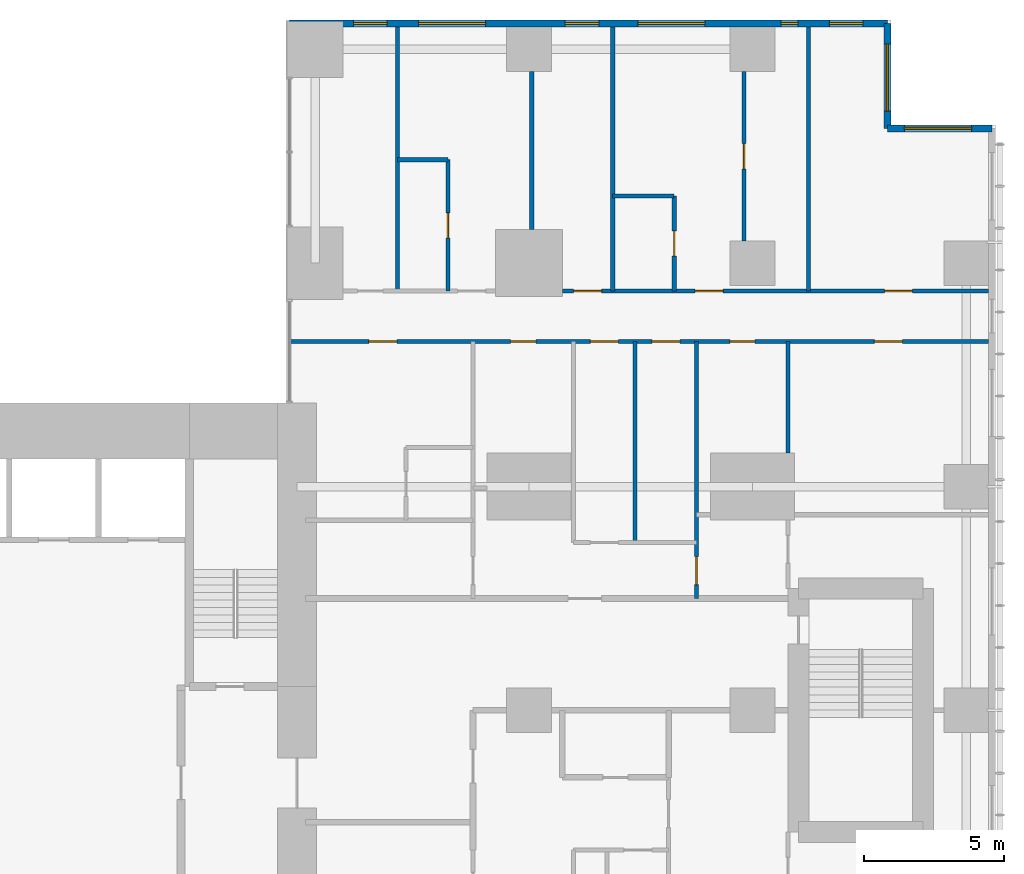
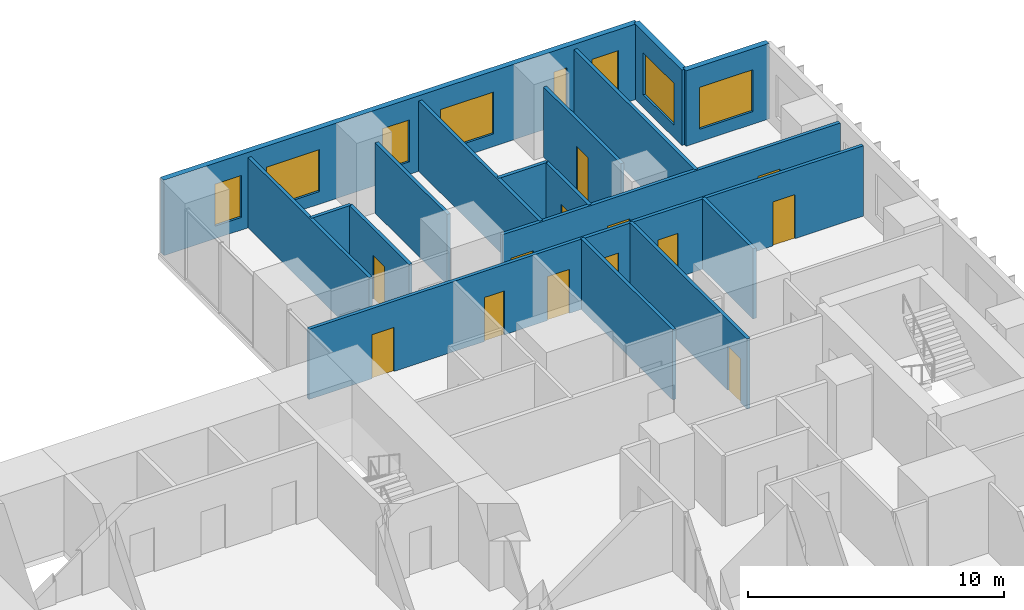
# One storey, part 10 of 12: 17 walls, 13 doors, 8 windows, 21 openings.
"""IFC4 building model written with IfcOpenShell, lengths in metres."""

from ifc_helpers import new_model, si_unit, direction, frame, frame_2d, origin, place, context, subcontext, project, spatial, rectangle, extrude, material, layer, layer_set, type_object, element, fill, save


model = new_model("IFC4")

# Units and contexts
model_context = context("Model", 3, precision=1e-05, world=origin(), true_north=direction((0.0, 1.0)))
body_context = subcontext(model_context, "Body", "Model", "MODEL_VIEW")
ifc_project = project(units=[si_unit("LENGTHUNIT", "METRE"), si_unit("AREAUNIT", "SQUARE_METRE"), si_unit("VOLUMEUNIT", "CUBIC_METRE"), si_unit("PLANEANGLEUNIT", "RADIAN"), si_unit("MASSUNIT", "GRAM", prefix="KILO")], contexts=[model_context])

# Site, building, storey
site_placement = place(None, origin())
site = spatial("IfcSite", under=ifc_project, at=site_placement, CompositionType="ELEMENT")
building_placement = place(site_placement, origin())
building = spatial("IfcBuilding", under=site, at=building_placement, Name="Cleftline Residences", CompositionType="ELEMENT")
storey_placement = place(building_placement, frame((0.0, 0.0, 248.39990234375)))
storey = spatial("IfcBuildingStorey", under=building, at=storey_placement, Name="L65", CompositionType="ELEMENT", Elevation=248.39990234375)

# Wall, opening, window
ifc_material_1 = material(Name="Rendered reinforced concrete blockwork", Category="masonry")
ifc_layer_1 = layer(ifc_material_1, 0.25)
ifc_layer_set_1 = layer_set([ifc_layer_1], Name="EXTERNAL WALL 250")
wall_type_1 = type_object("IfcWallType", Name="EXTERNAL WALL 250", PredefinedType="SOLIDWALL", material=ifc_layer_set_1)
wall_1_placement = place(storey_placement, frame((66.574951171875, 44.824951171875, 0.0), z_axis=(0.0, 0.0, 1.0), x_axis=(-1.0, 0.0, 0.0)))
wall_1 = element("IfcWall", 1, at=wall_1_placement, inside=storey, type_object=wall_type_1, Name="External wall", PredefinedType="SOLIDWALL", context=body_context, shape_type="SweptSolid", body=[
    extrude(rectangle(XDim=3.75, YDim=0.25, at=frame_2d((1.875, 0.0))), origin(), (0.0, 0.0, 1.0), 3.60009765625),
])
opening_1_placement = place(wall_1_placement, frame((0.737548828125, 0.0, 0.60009765625)))
opening_1 = element("IfcOpeningElement", 2, at=opening_1_placement, cuts=wall_1, Name="Opening W6", PredefinedType="OPENING", context=body_context, shape_type="SweptSolid", body=[
    extrude(rectangle(XDim=2.39990234375, YDim=2.0, at=frame_2d((1.199951171875, 1.0))), frame((0.0, 0.135009765625, 0.0), z_axis=(0.0, -1.0, 0.0), x_axis=(1.0, 0.0, 0.0)), (0.0, 0.0, 1.0), 0.27001953125),
])
ifc_material_2 = material(Name="Aluminium frame, clear double glazing", Category="aluminium")
window_type_1 = type_object("IfcWindowType", Name="WINDOW 2400X2000", PartitioningType="DOUBLE_PANEL_VERTICAL", PredefinedType="WINDOW", material=ifc_material_2)
window_1_placement = place(opening_1_placement, origin())
window_1 = element("IfcWindow", 3, at=window_1_placement, inside=storey, type_object=window_type_1, Name="Window", OverallHeight=2.0, OverallWidth=2.39990234375, PartitioningType="SINGLE_PANEL", PredefinedType="WINDOW", context=body_context, shape_type="SweptSolid", body=[
    extrude(rectangle(XDim=2.39990234375, YDim=2.0, at=frame_2d((1.199951171875, 1.0))), frame((0.0, 0.030029296875, 0.0), z_axis=(0.0, -1.0, 0.0), x_axis=(1.0, 0.0, 0.0)), (0.0, 0.0, 1.0), 0.06005859375),
])
fill(opening_1, window_1)

wall_2_placement = place(storey_placement, frame((62.824951171875, 44.824951171875, 0.0), z_axis=(0.0, 0.0, 1.0), x_axis=(0.0, 1.0, 0.0)))
wall_2 = element("IfcWall", 4, at=wall_2_placement, inside=storey, type_object=wall_type_1, Name="External wall", PredefinedType="SOLIDWALL", context=body_context, shape_type="SweptSolid", body=[
    extrude(rectangle(XDim=3.75, YDim=0.25, at=frame_2d((1.875, 0.0))), origin(), (0.0, 0.0, 1.0), 3.60009765625),
])
opening_2_placement = place(wall_2_placement, frame((0.612548828125, 0.0, 0.60009765625)))
opening_2 = element("IfcOpeningElement", 5, at=opening_2_placement, cuts=wall_2, Name="Opening W6", PredefinedType="OPENING", context=body_context, shape_type="SweptSolid", body=[
    extrude(rectangle(XDim=2.39990234375, YDim=2.0, at=frame_2d((1.199951171875, 1.0))), frame((0.0, 0.135009765625, 0.0), z_axis=(0.0, -1.0, 0.0), x_axis=(1.0, 0.0, 0.0)), (0.0, 0.0, 1.0), 0.27001953125),
])
window_2_placement = place(opening_2_placement, origin())
window_2 = element("IfcWindow", 6, at=window_2_placement, inside=storey, type_object=window_type_1, Name="Window", OverallHeight=2.0, OverallWidth=2.39990234375, PartitioningType="SINGLE_PANEL", PredefinedType="WINDOW", context=body_context, shape_type="SweptSolid", body=[
    extrude(rectangle(XDim=2.39990234375, YDim=2.0, at=frame_2d((1.199951171875, 1.0))), frame((0.0, 0.030029296875, 0.0), z_axis=(0.0, -1.0, 0.0), x_axis=(1.0, 0.0, 0.0)), (0.0, 0.0, 1.0), 0.06005859375),
])
fill(opening_2, window_2)

# Wall, openings, windows
wall_3_placement = place(storey_placement, frame((62.824951171875, 48.574951171875, 0.0), z_axis=(0.0, 0.0, 1.0), x_axis=(-1.0, 0.0, 0.0)))
wall_3 = element("IfcWall", 7, at=wall_3_placement, inside=storey, type_object=wall_type_1, Name="External wall", PredefinedType="SOLIDWALL", context=body_context, shape_type="SweptSolid", body=[
    extrude(rectangle(XDim=21.39990234375, YDim=0.25, at=frame_2d((10.699951171875, 0.0))), origin(), (0.0, 0.0, 1.0), 3.60009765625),
])
opening_3_placement = place(wall_3_placement, frame((0.875, 0.0, 0.60009765625)))
opening_3 = element("IfcOpeningElement", 8, at=opening_3_placement, cuts=wall_3, Name="Opening W8", PredefinedType="OPENING", context=body_context, shape_type="SweptSolid", body=[
    extrude(rectangle(XDim=1.199951171875, YDim=2.0, at=frame_2d((0.60009765625, 1.0))), frame((0.0, 0.135009765625, 0.0), z_axis=(0.0, -1.0, 0.0), x_axis=(1.0, 0.0, 0.0)), (0.0, 0.0, 1.0), 0.27001953125),
])
opening_4_placement = place(wall_3_placement, frame((3.199951171875, 0.0, 0.60009765625)))
opening_4 = element("IfcOpeningElement", 9, at=opening_4_placement, cuts=wall_3, Name="Opening W7", PredefinedType="OPENING", context=body_context, shape_type="SweptSolid", body=[
    extrude(rectangle(XDim=0.60009765625, YDim=2.0, at=frame_2d((0.300048828125, 1.0))), frame((0.0, 0.135009765625, 0.0), z_axis=(0.0, -1.0, 0.0), x_axis=(1.0, 0.0, 0.0)), (0.0, 0.0, 1.0), 0.27001953125),
])
opening_5_placement = place(wall_3_placement, frame((6.52490234375, 0.0, 0.60009765625)))
opening_5 = element("IfcOpeningElement", 10, at=opening_5_placement, cuts=wall_3, Name="Opening W6", PredefinedType="OPENING", context=body_context, shape_type="SweptSolid", body=[
    extrude(rectangle(XDim=2.39990234375, YDim=2.0, at=frame_2d((1.199951171875, 1.0))), frame((0.0, 0.135009765625, 0.0), z_axis=(0.0, -1.0, 0.0), x_axis=(1.0, 0.0, 0.0)), (0.0, 0.0, 1.0), 0.27001953125),
])
opening_6_placement = place(wall_3_placement, frame((10.324951171875, 0.0, 0.60009765625)))
opening_6 = element("IfcOpeningElement", 11, at=opening_6_placement, cuts=wall_3, Name="Opening W8", PredefinedType="OPENING", context=body_context, shape_type="SweptSolid", body=[
    extrude(rectangle(XDim=1.199951171875, YDim=2.0, at=frame_2d((0.60009765625, 1.0))), frame((0.0, 0.135009765625, 0.0), z_axis=(0.0, -1.0, 0.0), x_axis=(1.0, 0.0, 0.0)), (0.0, 0.0, 1.0), 0.27001953125),
])
opening_7_placement = place(wall_3_placement, frame((14.375, 0.0, 0.60009765625)))
opening_7 = element("IfcOpeningElement", 12, at=opening_7_placement, cuts=wall_3, Name="Opening W6", PredefinedType="OPENING", context=body_context, shape_type="SweptSolid", body=[
    extrude(rectangle(XDim=2.39990234375, YDim=2.0, at=frame_2d((1.199951171875, 1.0))), frame((0.0, 0.135009765625, 0.0), z_axis=(0.0, -1.0, 0.0), x_axis=(1.0, 0.0, 0.0)), (0.0, 0.0, 1.0), 0.27001953125),
])
opening_8_placement = place(wall_3_placement, frame((17.89990234375, 0.0, 0.60009765625)))
opening_8 = element("IfcOpeningElement", 13, at=opening_8_placement, cuts=wall_3, Name="Opening W8", PredefinedType="OPENING", context=body_context, shape_type="SweptSolid", body=[
    extrude(rectangle(XDim=1.199951171875, YDim=2.0, at=frame_2d((0.60009765625, 1.0))), frame((0.0, 0.135009765625, 0.0), z_axis=(0.0, -1.0, 0.0), x_axis=(1.0, 0.0, 0.0)), (0.0, 0.0, 1.0), 0.27001953125),
])
ifc_material_3 = material(Name="Aluminium frame, clear double glazing", Category="aluminium")
window_type_2 = type_object("IfcWindowType", Name="WINDOW 1200X2000", PartitioningType="DOUBLE_PANEL_VERTICAL", PredefinedType="WINDOW", material=ifc_material_3)
window_3_placement = place(opening_3_placement, origin())
window_3 = element("IfcWindow", 14, at=window_3_placement, inside=storey, type_object=window_type_2, Name="Window", OverallHeight=2.0, OverallWidth=1.199951171875, PartitioningType="SINGLE_PANEL", PredefinedType="WINDOW", context=body_context, shape_type="SweptSolid", body=[
    extrude(rectangle(XDim=1.199951171875, YDim=2.0, at=frame_2d((0.60009765625, 1.0))), frame((0.0, 0.030029296875, 0.0), z_axis=(0.0, -1.0, 0.0), x_axis=(1.0, 0.0, 0.0)), (0.0, 0.0, 1.0), 0.06005859375),
])
fill(opening_3, window_3)
window_4_placement = place(opening_6_placement, origin())
window_4 = element("IfcWindow", 15, at=window_4_placement, inside=storey, type_object=window_type_2, Name="Window", OverallHeight=2.0, OverallWidth=1.199951171875, PartitioningType="SINGLE_PANEL", PredefinedType="WINDOW", context=body_context, shape_type="SweptSolid", body=[
    extrude(rectangle(XDim=1.199951171875, YDim=2.0, at=frame_2d((0.60009765625, 1.0))), frame((0.0, 0.030029296875, 0.0), z_axis=(0.0, -1.0, 0.0), x_axis=(1.0, 0.0, 0.0)), (0.0, 0.0, 1.0), 0.06005859375),
])
fill(opening_6, window_4)
window_5_placement = place(opening_8_placement, origin())
window_5 = element("IfcWindow", 16, at=window_5_placement, inside=storey, type_object=window_type_2, Name="Window", OverallHeight=2.0, OverallWidth=1.199951171875, PartitioningType="SINGLE_PANEL", PredefinedType="WINDOW", context=body_context, shape_type="SweptSolid", body=[
    extrude(rectangle(XDim=1.199951171875, YDim=2.0, at=frame_2d((0.60009765625, 1.0))), frame((0.0, 0.030029296875, 0.0), z_axis=(0.0, -1.0, 0.0), x_axis=(1.0, 0.0, 0.0)), (0.0, 0.0, 1.0), 0.06005859375),
])
fill(opening_8, window_5)
window_6_placement = place(opening_5_placement, origin())
window_6 = element("IfcWindow", 17, at=window_6_placement, inside=storey, type_object=window_type_1, Name="Window", OverallHeight=2.0, OverallWidth=2.39990234375, PartitioningType="SINGLE_PANEL", PredefinedType="WINDOW", context=body_context, shape_type="SweptSolid", body=[
    extrude(rectangle(XDim=2.39990234375, YDim=2.0, at=frame_2d((1.199951171875, 1.0))), frame((0.0, 0.030029296875, 0.0), z_axis=(0.0, -1.0, 0.0), x_axis=(1.0, 0.0, 0.0)), (0.0, 0.0, 1.0), 0.06005859375),
])
fill(opening_5, window_6)
window_7_placement = place(opening_7_placement, origin())
window_7 = element("IfcWindow", 18, at=window_7_placement, inside=storey, type_object=window_type_1, Name="Window", OverallHeight=2.0, OverallWidth=2.39990234375, PartitioningType="SINGLE_PANEL", PredefinedType="WINDOW", context=body_context, shape_type="SweptSolid", body=[
    extrude(rectangle(XDim=2.39990234375, YDim=2.0, at=frame_2d((1.199951171875, 1.0))), frame((0.0, 0.030029296875, 0.0), z_axis=(0.0, -1.0, 0.0), x_axis=(1.0, 0.0, 0.0)), (0.0, 0.0, 1.0), 0.06005859375),
])
fill(opening_7, window_7)
ifc_material_4 = material(Name="Aluminium frame, clear double glazing", Category="aluminium")
window_type_3 = type_object("IfcWindowType", Name="WINDOW 600X2000", PartitioningType="DOUBLE_PANEL_VERTICAL", PredefinedType="WINDOW", material=ifc_material_4)
window_8_placement = place(opening_4_placement, origin())
window_8 = element("IfcWindow", 19, at=window_8_placement, inside=storey, type_object=window_type_3, Name="Window", OverallHeight=2.0, OverallWidth=0.60009765625, PartitioningType="SINGLE_PANEL", PredefinedType="WINDOW", context=body_context, shape_type="SweptSolid", body=[
    extrude(rectangle(XDim=0.60009765625, YDim=2.0, at=frame_2d((0.300048828125, 1.0))), frame((0.0, 0.030029296875, 0.0), z_axis=(0.0, -1.0, 0.0), x_axis=(1.0, 0.0, 0.0)), (0.0, 0.0, 1.0), 0.06005859375),
])
fill(opening_4, window_8)

# Wall, openings, doors
ifc_material_5 = material(Name="Gypsum board on steel studs", Category="steel")
ifc_layer_2 = layer(ifc_material_5, 0.14990234375)
ifc_layer_set_2 = layer_set([ifc_layer_2], Name="PARTITION 150")
wall_type_2 = type_object("IfcWallType", Name="PARTITION 150", PredefinedType="PARTITIONING", material=ifc_layer_set_2)
wall_4_placement = place(storey_placement, frame((41.43896484375, 37.199951171875, 0.0), z_axis=(0.0, 0.0, 1.0), x_axis=(1.0, 0.0, 0.0)))
wall_4 = element("IfcWall", 20, at=wall_4_placement, inside=storey, type_object=wall_type_2, Name="Partition", PredefinedType="PARTITIONING", context=body_context, shape_type="SweptSolid", body=[
    extrude(rectangle(XDim=25.010986328125, YDim=0.14990234375, at=frame_2d((12.50537109375, 0.0))), origin(), (0.0, 0.0, 1.0), 3.35009765625),
])
opening_9_placement = place(wall_4_placement, frame((10.760986328125, 0.0, 0.0)))
opening_9 = element("IfcOpeningElement", 21, at=opening_9_placement, cuts=wall_4, Name="Opening D2", PredefinedType="OPENING", context=body_context, shape_type="SweptSolid", body=[
    extrude(rectangle(XDim=1.0, YDim=2.10009765625, at=frame_2d((0.5, 1.050048828125))), frame((0.0, 0.0849609375, 0.0), z_axis=(0.0, -1.0, 0.0), x_axis=(1.0, 0.0, 0.0)), (0.0, 0.0, 1.0), 0.169921875),
])
opening_10_placement = place(wall_4_placement, frame((20.923583984375, 0.0, 0.0)))
opening_10 = element("IfcOpeningElement", 22, at=opening_10_placement, cuts=wall_4, Name="Opening D2", PredefinedType="OPENING", context=body_context, shape_type="SweptSolid", body=[
    extrude(rectangle(XDim=1.0, YDim=2.10009765625, at=frame_2d((0.5, 1.050048828125))), frame((0.0, 0.0849609375, 0.0), z_axis=(0.0, -1.0, 0.0), x_axis=(1.0, 0.0, 0.0)), (0.0, 0.0, 1.0), 0.169921875),
])
opening_11_placement = place(wall_4_placement, frame((15.74853515625, 0.0, 0.0)))
opening_11 = element("IfcOpeningElement", 23, at=opening_11_placement, cuts=wall_4, Name="Opening D1", PredefinedType="OPENING", context=body_context, shape_type="SweptSolid", body=[
    extrude(rectangle(XDim=0.89990234375, YDim=2.10009765625, at=frame_2d((0.449951171875, 1.050048828125))), frame((0.0, 0.0849609375, 0.0), z_axis=(0.0, -1.0, 0.0), x_axis=(1.0, 0.0, 0.0)), (0.0, 0.0, 1.0), 0.169921875),
])
opening_12_placement = place(wall_4_placement, frame((12.9609375, 0.0, 0.0)))
opening_12 = element("IfcOpeningElement", 24, at=opening_12_placement, cuts=wall_4, Name="Opening D2", PredefinedType="OPENING", context=body_context, shape_type="SweptSolid", body=[
    extrude(rectangle(XDim=1.0, YDim=2.10009765625, at=frame_2d((0.5, 1.050048828125))), frame((0.0, 0.0849609375, 0.0), z_axis=(0.0, -1.0, 0.0), x_axis=(1.0, 0.0, 0.0)), (0.0, 0.0, 1.0), 0.169921875),
])
opening_13_placement = place(wall_4_placement, frame((7.910888671875, 0.0, 0.0)))
opening_13 = element("IfcOpeningElement", 25, at=opening_13_placement, cuts=wall_4, Name="Opening D1", PredefinedType="OPENING", context=body_context, shape_type="SweptSolid", body=[
    extrude(rectangle(XDim=0.89990234375, YDim=2.10009765625, at=frame_2d((0.449951171875, 1.050048828125))), frame((0.0, 0.0849609375, 0.0), z_axis=(0.0, -1.0, 0.0), x_axis=(1.0, 0.0, 0.0)), (0.0, 0.0, 1.0), 0.169921875),
])
opening_14_placement = place(wall_4_placement, frame((2.8359375, 0.0, 0.0)))
opening_14 = element("IfcOpeningElement", 26, at=opening_14_placement, cuts=wall_4, Name="Opening D2", PredefinedType="OPENING", context=body_context, shape_type="SweptSolid", body=[
    extrude(rectangle(XDim=1.0, YDim=2.10009765625, at=frame_2d((0.5, 1.050048828125))), frame((0.0, 0.0849609375, 0.0), z_axis=(0.0, -1.0, 0.0), x_axis=(1.0, 0.0, 0.0)), (0.0, 0.0, 1.0), 0.169921875),
])
ifc_material_6 = material(Name="Timber veneer on solid core", Category="wood")
door_type_1 = type_object("IfcDoorType", Name="DOOR 1000X2100", OperationType="SINGLE_SWING_LEFT", PredefinedType="DOOR", material=ifc_material_6)
door_1_placement = place(opening_9_placement, origin())
door_1 = element("IfcDoor", 27, at=door_1_placement, inside=storey, type_object=door_type_1, Name="Door to residence hall", OperationType="SINGLE_SWING_RIGHT", OverallHeight=2.10009765625, OverallWidth=1.0, PredefinedType="DOOR", context=body_context, shape_type="SweptSolid", body=[
    extrude(rectangle(XDim=1.0, YDim=2.10009765625, at=frame_2d((0.5, 1.050048828125))), frame((0.0, 0.02490234375, 0.0), z_axis=(0.0, -1.0, 0.0), x_axis=(1.0, 0.0, 0.0)), (0.0, 0.0, 1.0), 0.050048828125),
])
fill(opening_9, door_1)
door_2_placement = place(opening_10_placement, origin())
door_2 = element("IfcDoor", 28, at=door_2_placement, inside=storey, type_object=door_type_1, Name="Door to master bedroom", OperationType="SINGLE_SWING_LEFT", OverallHeight=2.10009765625, OverallWidth=1.0, PredefinedType="DOOR", context=body_context, shape_type="SweptSolid", body=[
    extrude(rectangle(XDim=1.0, YDim=2.10009765625, at=frame_2d((0.5, 1.050048828125))), frame((0.0, 0.02490234375, 0.0), z_axis=(0.0, -1.0, 0.0), x_axis=(1.0, 0.0, 0.0)), (0.0, 0.0, 1.0), 0.050048828125),
])
fill(opening_10, door_2)
door_3_placement = place(opening_12_placement, origin())
door_3 = element("IfcDoor", 29, at=door_3_placement, inside=storey, type_object=door_type_1, Name="Door to family room", OperationType="SINGLE_SWING_LEFT", OverallHeight=2.10009765625, OverallWidth=1.0, PredefinedType="DOOR", context=body_context, shape_type="SweptSolid", body=[
    extrude(rectangle(XDim=1.0, YDim=2.10009765625, at=frame_2d((0.5, 1.050048828125))), frame((0.0, 0.02490234375, 0.0), z_axis=(0.0, -1.0, 0.0), x_axis=(1.0, 0.0, 0.0)), (0.0, 0.0, 1.0), 0.050048828125),
])
fill(opening_12, door_3)
door_4_placement = place(opening_14_placement, origin())
door_4 = element("IfcDoor", 30, at=door_4_placement, inside=storey, type_object=door_type_1, Name="Door to bedroom 4", OperationType="SINGLE_SWING_RIGHT", OverallHeight=2.10009765625, OverallWidth=1.0, PredefinedType="DOOR", context=body_context, shape_type="SweptSolid", body=[
    extrude(rectangle(XDim=1.0, YDim=2.10009765625, at=frame_2d((0.5, 1.050048828125))), frame((0.0, 0.02490234375, 0.0), z_axis=(0.0, -1.0, 0.0), x_axis=(1.0, 0.0, 0.0)), (0.0, 0.0, 1.0), 0.050048828125),
])
fill(opening_14, door_4)
ifc_material_7 = material(Name="Timber veneer on solid core", Category="wood")
door_type_2 = type_object("IfcDoorType", Name="DOOR 900X2100", OperationType="SINGLE_SWING_LEFT", PredefinedType="DOOR", material=ifc_material_7)
door_5_placement = place(opening_11_placement, origin())
door_5 = element("IfcDoor", 31, at=door_5_placement, inside=storey, type_object=door_type_2, Name="Door to master bathroom", OperationType="SINGLE_SWING_LEFT", OverallHeight=2.10009765625, OverallWidth=0.89990234375, PredefinedType="DOOR", context=body_context, shape_type="SweptSolid", body=[
    extrude(rectangle(XDim=0.89990234375, YDim=2.10009765625, at=frame_2d((0.449951171875, 1.050048828125))), frame((0.0, 0.02490234375, 0.0), z_axis=(0.0, -1.0, 0.0), x_axis=(1.0, 0.0, 0.0)), (0.0, 0.0, 1.0), 0.050048828125),
])
fill(opening_11, door_5)
door_6_placement = place(opening_13_placement, origin())
door_6 = element("IfcDoor", 32, at=door_6_placement, inside=storey, type_object=door_type_2, Name="Door to master dressing room", OperationType="SINGLE_SWING_RIGHT", OverallHeight=2.10009765625, OverallWidth=0.89990234375, PredefinedType="DOOR", context=body_context, shape_type="SweptSolid", body=[
    extrude(rectangle(XDim=0.89990234375, YDim=2.10009765625, at=frame_2d((0.449951171875, 1.050048828125))), frame((0.0, 0.02490234375, 0.0), z_axis=(0.0, -1.0, 0.0), x_axis=(1.0, 0.0, 0.0)), (0.0, 0.0, 1.0), 0.050048828125),
])
fill(opening_13, door_6)

wall_5_placement = place(storey_placement, frame((51.199951171875, 39.0, 0.0), z_axis=(0.0, 0.0, 1.0), x_axis=(1.0, 0.0, 0.0)))
wall_5 = element("IfcWall", 33, at=wall_5_placement, inside=storey, type_object=wall_type_2, Name="Partition", PredefinedType="PARTITIONING", context=body_context, shape_type="SweptSolid", body=[
    extrude(rectangle(XDim=15.25, YDim=0.14990234375, at=frame_2d((7.625, 0.0))), origin(), (0.0, 0.0, 1.0), 3.35009765625),
])
opening_15_placement = place(wall_5_placement, frame((11.52490234375, 0.0, 0.0)))
opening_15 = element("IfcOpeningElement", 34, at=opening_15_placement, cuts=wall_5, Name="Opening D2", PredefinedType="OPENING", context=body_context, shape_type="SweptSolid", body=[
    extrude(rectangle(XDim=1.0, YDim=2.10009765625, at=frame_2d((0.5, 1.050048828125))), frame((0.0, 0.0849609375, 0.0), z_axis=(0.0, -1.0, 0.0), x_axis=(1.0, 0.0, 0.0)), (0.0, 0.0, 1.0), 0.169921875),
])
opening_16_placement = place(wall_5_placement, frame((4.75, 0.0, 0.0)))
opening_16 = element("IfcOpeningElement", 35, at=opening_16_placement, cuts=wall_5, Name="Opening D2", PredefinedType="OPENING", context=body_context, shape_type="SweptSolid", body=[
    extrude(rectangle(XDim=1.0, YDim=2.10009765625, at=frame_2d((0.5, 1.050048828125))), frame((0.0, 0.0849609375, 0.0), z_axis=(0.0, -1.0, 0.0), x_axis=(1.0, 0.0, 0.0)), (0.0, 0.0, 1.0), 0.169921875),
])
opening_17_placement = place(wall_5_placement, frame((0.39990234375, 0.0, 0.0)))
opening_17 = element("IfcOpeningElement", 36, at=opening_17_placement, cuts=wall_5, Name="Opening D2", PredefinedType="OPENING", context=body_context, shape_type="SweptSolid", body=[
    extrude(rectangle(XDim=1.0, YDim=2.10009765625, at=frame_2d((0.5, 1.050048828125))), frame((0.0, 0.0849609375, 0.0), z_axis=(0.0, -1.0, 0.0), x_axis=(1.0, 0.0, 0.0)), (0.0, 0.0, 1.0), 0.169921875),
])
door_7_placement = place(opening_15_placement, origin())
door_7 = element("IfcDoor", 37, at=door_7_placement, inside=storey, type_object=door_type_1, Name="Door to gym", OperationType="SINGLE_SWING_LEFT", OverallHeight=2.10009765625, OverallWidth=1.0, PredefinedType="DOOR", context=body_context, shape_type="SweptSolid", body=[
    extrude(rectangle(XDim=1.0, YDim=2.10009765625, at=frame_2d((0.5, 1.050048828125))), frame((0.0, 0.02490234375, 0.0), z_axis=(0.0, -1.0, 0.0), x_axis=(1.0, 0.0, 0.0)), (0.0, 0.0, 1.0), 0.050048828125),
])
fill(opening_15, door_7)
door_8_placement = place(opening_16_placement, origin())
door_8 = element("IfcDoor", 38, at=door_8_placement, inside=storey, type_object=door_type_1, Name="Door to bedroom 2", OperationType="SINGLE_SWING_RIGHT", OverallHeight=2.10009765625, OverallWidth=1.0, PredefinedType="DOOR", context=body_context, shape_type="SweptSolid", body=[
    extrude(rectangle(XDim=1.0, YDim=2.10009765625, at=frame_2d((0.5, 1.050048828125))), frame((0.0, 0.02490234375, 0.0), z_axis=(0.0, -1.0, 0.0), x_axis=(1.0, 0.0, 0.0)), (0.0, 0.0, 1.0), 0.050048828125),
])
fill(opening_16, door_8)
door_9_placement = place(opening_17_placement, origin())
door_9 = element("IfcDoor", 39, at=door_9_placement, inside=storey, type_object=door_type_1, Name="Door to bedroom 3 sitting room", OperationType="SINGLE_SWING_RIGHT", OverallHeight=2.10009765625, OverallWidth=1.0, PredefinedType="DOOR", context=body_context, shape_type="SweptSolid", body=[
    extrude(rectangle(XDim=1.0, YDim=2.10009765625, at=frame_2d((0.5, 1.050048828125))), frame((0.0, 0.02490234375, 0.0), z_axis=(0.0, -1.0, 0.0), x_axis=(1.0, 0.0, 0.0)), (0.0, 0.0, 1.0), 0.050048828125),
])
fill(opening_17, door_9)

# Walls
wall_6_placement = place(storey_placement, frame((53.0, 42.39990234375, 0.0), z_axis=(0.0, 0.0, 1.0), x_axis=(1.0, 0.0, 0.0)))
element("IfcWall", 40, at=wall_6_placement, inside=storey, type_object=wall_type_2, Name="Partition", PredefinedType="PARTITIONING", context=body_context, shape_type="SweptSolid", body=[
    extrude(rectangle(XDim=2.199951171875, YDim=0.14990234375, at=frame_2d((1.10009765625, 0.0))), origin(), (0.0, 0.0, 1.0), 3.35009765625),
])
wall_7_placement = place(storey_placement, frame((45.300048828125, 43.699951171875, 0.0), z_axis=(0.0, 0.0, 1.0), x_axis=(1.0, 0.0, 0.0)))
element("IfcWall", 41, at=wall_7_placement, inside=storey, type_object=wall_type_2, Name="Partition", PredefinedType="PARTITIONING", context=body_context, shape_type="SweptSolid", body=[
    extrude(rectangle(XDim=1.800048828125, YDim=0.14990234375, at=frame_2d((0.89990234375, 0.0))), origin(), (0.0, 0.0, 1.0), 3.35009765625),
])
wall_8_placement = place(storey_placement, frame((45.300048828125, 39.0, 0.0), z_axis=(0.0, 0.0, 1.0), x_axis=(0.0, 1.0, 0.0)))
element("IfcWall", 42, at=wall_8_placement, inside=storey, type_object=wall_type_2, Name="Partition", PredefinedType="PARTITIONING", context=body_context, shape_type="SweptSolid", body=[
    extrude(rectangle(XDim=9.449951171875, YDim=0.14990234375, at=frame_2d((4.72509765625, 0.0))), origin(), (0.0, 0.0, 1.0), 3.35009765625),
])

# Wall, opening, door
wall_9_placement = place(storey_placement, frame((47.10009765625, 39.0, 0.0), z_axis=(0.0, 0.0, 1.0), x_axis=(0.0, 1.0, 0.0)))
wall_9 = element("IfcWall", 43, at=wall_9_placement, inside=storey, type_object=wall_type_2, Name="Partition", PredefinedType="PARTITIONING", context=body_context, shape_type="SweptSolid", body=[
    extrude(rectangle(XDim=4.699951171875, YDim=0.14990234375, at=frame_2d((2.35009765625, 0.0))), origin(), (0.0, 0.0, 1.0), 3.35009765625),
])
opening_18_placement = place(wall_9_placement, frame((1.89990234375, 0.0, 0.0)))
opening_18 = element("IfcOpeningElement", 44, at=opening_18_placement, cuts=wall_9, Name="Opening D1", PredefinedType="OPENING", context=body_context, shape_type="SweptSolid", body=[
    extrude(rectangle(XDim=0.89990234375, YDim=2.10009765625, at=frame_2d((0.449951171875, 1.050048828125))), frame((0.0, 0.0849609375, 0.0), z_axis=(0.0, -1.0, 0.0), x_axis=(1.0, 0.0, 0.0)), (0.0, 0.0, 1.0), 0.169921875),
])
door_10_placement = place(opening_18_placement, origin())
door_10 = element("IfcDoor", 45, at=door_10_placement, inside=storey, type_object=door_type_2, Name="Door to en-suite bathroom 3", OperationType="SINGLE_SWING_LEFT", OverallHeight=2.10009765625, OverallWidth=0.89990234375, PredefinedType="DOOR", context=body_context, shape_type="SweptSolid", body=[
    extrude(rectangle(XDim=0.89990234375, YDim=2.10009765625, at=frame_2d((0.449951171875, 1.050048828125))), frame((0.0, 0.02490234375, 0.0), z_axis=(0.0, -1.0, 0.0), x_axis=(1.0, 0.0, 0.0)), (0.0, 0.0, 1.0), 0.050048828125),
])
fill(opening_18, door_10)

# Walls
wall_10_placement = place(storey_placement, frame((50.10009765625, 41.199951171875, 0.0), z_axis=(0.0, 0.0, 1.0), x_axis=(0.0, 1.0, 0.0)))
element("IfcWall", 46, at=wall_10_placement, inside=storey, type_object=wall_type_2, Name="Partition", PredefinedType="PARTITIONING", context=body_context, shape_type="SweptSolid", body=[
    extrude(rectangle(XDim=5.650146484375, YDim=0.14990234375, at=frame_2d((2.8251953125, 0.0))), origin(), (0.0, 0.0, 1.0), 3.35009765625),
])
wall_11_placement = place(storey_placement, frame((53.0, 39.0, 0.0), z_axis=(0.0, 0.0, 1.0), x_axis=(0.0, 1.0, 0.0)))
element("IfcWall", 47, at=wall_11_placement, inside=storey, type_object=wall_type_2, Name="Partition", PredefinedType="PARTITIONING", context=body_context, shape_type="SweptSolid", body=[
    extrude(rectangle(XDim=9.449951171875, YDim=0.14990234375, at=frame_2d((4.72509765625, 0.0))), origin(), (0.0, 0.0, 1.0), 3.35009765625),
])
wall_12_placement = place(storey_placement, frame((53.800048828125, 30.0, 0.0), z_axis=(0.0, 0.0, 1.0), x_axis=(0.0, 1.0, 0.0)))
element("IfcWall", 48, at=wall_12_placement, inside=storey, type_object=wall_type_2, Name="Partition", PredefinedType="PARTITIONING", context=body_context, shape_type="SweptSolid", body=[
    extrude(rectangle(XDim=7.199951171875, YDim=0.14990234375, at=frame_2d((3.60009765625, 0.0))), origin(), (0.0, 0.0, 1.0), 3.35009765625),
])

# Wall, opening, door
wall_13_placement = place(storey_placement, frame((55.199951171875, 39.0, 0.0), z_axis=(0.0, 0.0, 1.0), x_axis=(0.0, 1.0, 0.0)))
wall_13 = element("IfcWall", 49, at=wall_13_placement, inside=storey, type_object=wall_type_2, Name="Partition", PredefinedType="PARTITIONING", context=body_context, shape_type="SweptSolid", body=[
    extrude(rectangle(XDim=3.39990234375, YDim=0.14990234375, at=frame_2d((1.699951171875, 0.0))), origin(), (0.0, 0.0, 1.0), 3.35009765625),
])
opening_19_placement = place(wall_13_placement, frame((1.25, 0.0, 0.0)))
opening_19 = element("IfcOpeningElement", 50, at=opening_19_placement, cuts=wall_13, Name="Opening D1", PredefinedType="OPENING", context=body_context, shape_type="SweptSolid", body=[
    extrude(rectangle(XDim=0.89990234375, YDim=2.10009765625, at=frame_2d((0.449951171875, 1.050048828125))), frame((0.0, 0.0849609375, 0.0), z_axis=(0.0, -1.0, 0.0), x_axis=(1.0, 0.0, 0.0)), (0.0, 0.0, 1.0), 0.169921875),
])
door_11_placement = place(opening_19_placement, origin())
door_11 = element("IfcDoor", 51, at=door_11_placement, inside=storey, type_object=door_type_2, Name="Door to en-suite bathroom 2", OperationType="SINGLE_SWING_LEFT", OverallHeight=2.10009765625, OverallWidth=0.89990234375, PredefinedType="DOOR", context=body_context, shape_type="SweptSolid", body=[
    extrude(rectangle(XDim=0.89990234375, YDim=2.10009765625, at=frame_2d((0.449951171875, 1.050048828125))), frame((0.0, 0.02490234375, 0.0), z_axis=(0.0, -1.0, 0.0), x_axis=(1.0, 0.0, 0.0)), (0.0, 0.0, 1.0), 0.050048828125),
])
fill(opening_19, door_11)

wall_14_placement = place(storey_placement, frame((56.0, 28.0, 0.0), z_axis=(0.0, 0.0, 1.0), x_axis=(0.0, 1.0, 0.0)))
wall_14 = element("IfcWall", 52, at=wall_14_placement, inside=storey, type_object=wall_type_2, Name="Partition", PredefinedType="PARTITIONING", context=body_context, shape_type="SweptSolid", body=[
    extrude(rectangle(XDim=9.199951171875, YDim=0.14990234375, at=frame_2d((4.60009765625, 0.0))), origin(), (0.0, 0.0, 1.0), 3.35009765625),
])
opening_20_placement = place(wall_14_placement, frame((0.5, 0.0, 0.0)))
opening_20 = element("IfcOpeningElement", 53, at=opening_20_placement, cuts=wall_14, Name="Opening D2F30", PredefinedType="OPENING", context=body_context, shape_type="SweptSolid", body=[
    extrude(rectangle(XDim=1.0, YDim=2.10009765625, at=frame_2d((0.5, 1.050048828125))), frame((0.0, 0.0849609375, 0.0), z_axis=(0.0, -1.0, 0.0), x_axis=(1.0, 0.0, 0.0)), (0.0, 0.0, 1.0), 0.169921875),
])
ifc_material_8 = material(Name="Timber veneer on solid core", Category="wood")
door_type_3 = type_object("IfcDoorType", Name="DOOR 1000X2100 EI 30", OperationType="SINGLE_SWING_LEFT", PredefinedType="DOOR", material=ifc_material_8)
door_12_placement = place(opening_20_placement, origin())
door_12 = element("IfcDoor", 54, at=door_12_placement, inside=storey, type_object=door_type_3, Name="Door to residence lobby (service)", OperationType="SINGLE_SWING_RIGHT", OverallHeight=2.10009765625, OverallWidth=1.0, PredefinedType="DOOR", context=body_context, shape_type="SweptSolid", body=[
    extrude(rectangle(XDim=1.0, YDim=2.10009765625, at=frame_2d((0.5, 1.050048828125))), frame((0.0, 0.02490234375, 0.0), z_axis=(0.0, -1.0, 0.0), x_axis=(1.0, 0.0, 0.0)), (0.0, 0.0, 1.0), 0.050048828125),
])
fill(opening_20, door_12)

wall_15_placement = place(storey_placement, frame((57.699951171875, 40.800048828125, 0.0), z_axis=(0.0, 0.0, 1.0), x_axis=(0.0, 1.0, 0.0)))
wall_15 = element("IfcWall", 55, at=wall_15_placement, inside=storey, type_object=wall_type_2, Name="Partition", PredefinedType="PARTITIONING", context=body_context, shape_type="SweptSolid", body=[
    extrude(rectangle(XDim=6.050048828125, YDim=0.14990234375, at=frame_2d((3.02490234375, 0.0))), origin(), (0.0, 0.0, 1.0), 3.35009765625),
])
opening_21_placement = place(wall_15_placement, frame((2.574951171875, 0.0, 0.0)))
opening_21 = element("IfcOpeningElement", 56, at=opening_21_placement, cuts=wall_15, Name="Opening D1", PredefinedType="OPENING", context=body_context, shape_type="SweptSolid", body=[
    extrude(rectangle(XDim=0.89990234375, YDim=2.10009765625, at=frame_2d((0.449951171875, 1.050048828125))), frame((0.0, 0.0849609375, 0.0), z_axis=(0.0, -1.0, 0.0), x_axis=(1.0, 0.0, 0.0)), (0.0, 0.0, 1.0), 0.169921875),
])
door_13_placement = place(opening_21_placement, origin())
door_13 = element("IfcDoor", 57, at=door_13_placement, inside=storey, type_object=door_type_2, Name="Door to walk-in wardrobe", OperationType="SINGLE_SWING_LEFT", OverallHeight=2.10009765625, OverallWidth=0.89990234375, PredefinedType="DOOR", context=body_context, shape_type="SweptSolid", body=[
    extrude(rectangle(XDim=0.89990234375, YDim=2.10009765625, at=frame_2d((0.449951171875, 1.050048828125))), frame((0.0, 0.02490234375, 0.0), z_axis=(0.0, -1.0, 0.0), x_axis=(1.0, 0.0, 0.0)), (0.0, 0.0, 1.0), 0.050048828125),
])
fill(opening_21, door_13)

# Walls
wall_16_placement = place(storey_placement, frame((59.27490234375, 33.199951171875, 0.0), z_axis=(0.0, 0.0, 1.0), x_axis=(0.0, 1.0, 0.0)))
element("IfcWall", 58, at=wall_16_placement, inside=storey, type_object=wall_type_2, Name="Partition", PredefinedType="PARTITIONING", context=body_context, shape_type="SweptSolid", body=[
    extrude(rectangle(XDim=4.0, YDim=0.14990234375, at=frame_2d((2.0, 0.0))), origin(), (0.0, 0.0, 1.0), 3.35009765625),
])
wall_17_placement = place(storey_placement, frame((60.0, 39.0, 0.0), z_axis=(0.0, 0.0, 1.0), x_axis=(0.0, 1.0, 0.0)))
element("IfcWall", 59, at=wall_17_placement, inside=storey, type_object=wall_type_2, Name="Partition", PredefinedType="PARTITIONING", context=body_context, shape_type="SweptSolid", body=[
    extrude(rectangle(XDim=9.449951171875, YDim=0.14990234375, at=frame_2d((4.72509765625, 0.0))), origin(), (0.0, 0.0, 1.0), 3.35009765625),
])

save(model, "model.ifc")
